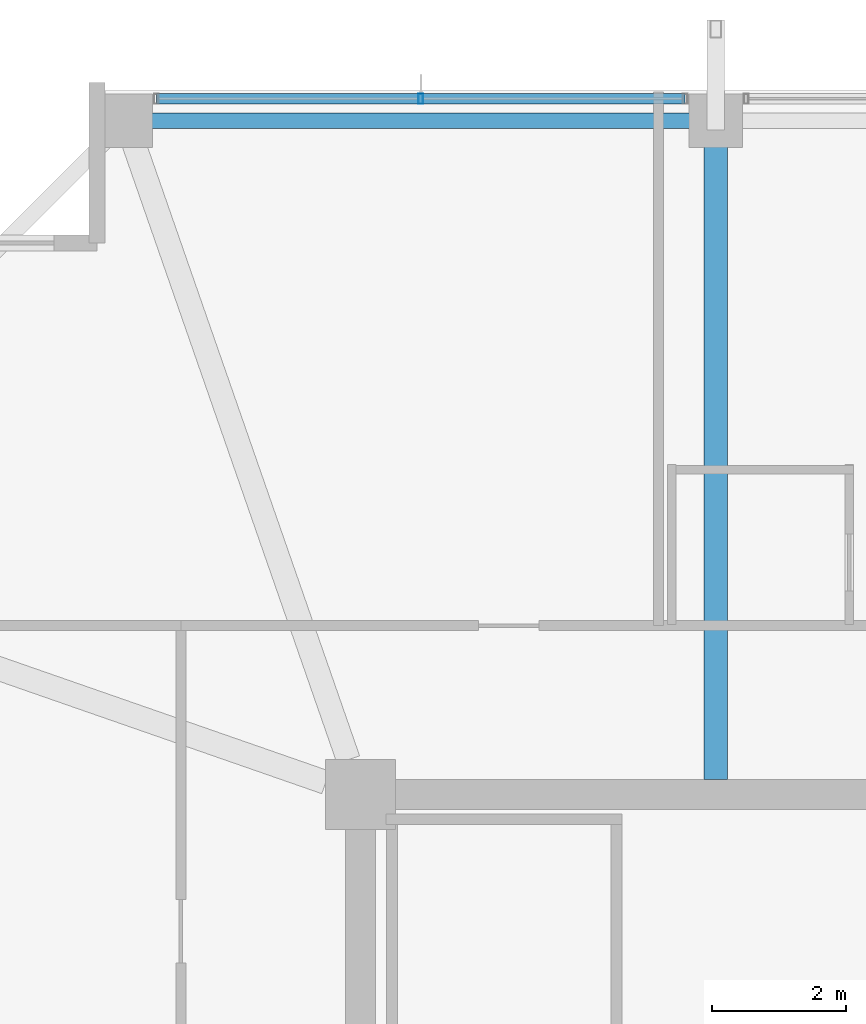
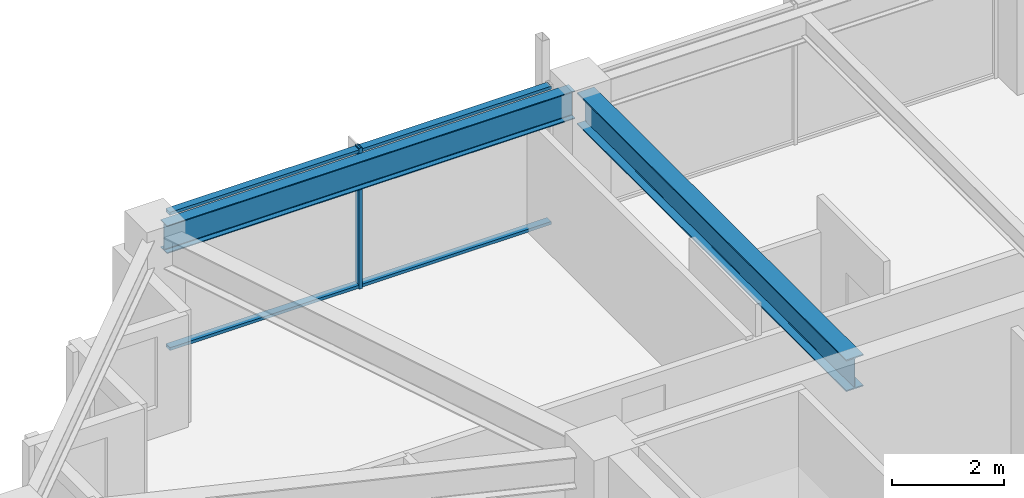
# One storey, part 16 of 33: 3 members, 2 beams, 1 element without a shape of its own.
"""IFC4 building model written with IfcOpenShell, lengths in metres."""

import ifcopenshell
import ifcopenshell.guid

model = None  # the IFC model being written
_history = None  # IfcOwnerHistory: only IFC2X3 demands one
_inside = {}  # id of a spatial element -> (the spatial element, [elements in it])
_under = {}  # id of a project, library or spatial element -> (it, [spatial elements below it])
_declared = {}  # id of a project -> (the project, [libraries it declares])
_typed = {}  # id of a type object -> (the type object, [elements of that type])
_made_of = {}  # id of a material, layer set ... -> (it, [elements and type objects made of it])


def new_model(schema):
    """Start an empty IFC model of exactly this schema.

    Asked for "IFC4X3", IfcOpenShell would pick the latest addendum, in which some entities
    have other attributes; the version numbers below select the first issue.
    IFC2X3 requires an IfcOwnerHistory on every rooted entity: one is made here for all.
    """
    global model, _history
    if schema == "IFC4X3":
        model = ifcopenshell.file(schema_version=(4, 3, 0, 0))
    else:
        model = ifcopenshell.file(schema=schema)
    _inside.clear()
    _under.clear()
    _declared.clear()
    _typed.clear()
    _made_of.clear()
    _history = None
    if model.schema == "IFC2X3":
        org = make("IfcOrganization", Name="unknown")
        user = make(
            "IfcPersonAndOrganization",
            ThePerson=make("IfcPerson", FamilyName="unknown"),
            TheOrganization=org,
        )
        app = make(
            "IfcApplication",
            ApplicationDeveloper=org,
            Version="unknown",
            ApplicationFullName="unknown",
            ApplicationIdentifier="unknown",
        )
        _history = make(
            "IfcOwnerHistory",
            OwningUser=user,
            OwningApplication=app,
            ChangeAction="ADDED",
            CreationDate=0,
        )
    return model


def make(cls, **values):
    """One entity of the class cls with the attributes given. An attribute that is None is left unset."""
    return model.create_entity(
        cls, **{name: value for name, value in values.items() if value is not None}
    )


def rooted(cls, **values):
    """An entity with a GlobalId (a new one), such as an element, a storey or a relation."""
    return make(cls, GlobalId=ifcopenshell.guid.new(), OwnerHistory=_history, **values)


def si_unit(unit_type, name, prefix=None):
    """IfcSIUnit, for example si_unit("LENGTHUNIT", "METRE", prefix="MILLI")."""
    return make("IfcSIUnit", UnitType=unit_type, Prefix=prefix, Name=name)


def assignment(units):
    """IfcUnitAssignment: the units of a project."""
    return None if units is None else make("IfcUnitAssignment", Units=units)


def point(xyz):
    """IfcCartesianPoint."""
    return None if xyz is None else make("IfcCartesianPoint", Coordinates=xyz)


def direction(xyz):
    """IfcDirection."""
    return None if xyz is None else make("IfcDirection", DirectionRatios=xyz)


def frame(location, z_axis=None, x_axis=None):
    """IfcAxis2Placement3D, a coordinate frame: its origin and axes. An axis left out is left unset."""
    return make(
        "IfcAxis2Placement3D",
        Location=point(location),
        Axis=direction(z_axis),
        RefDirection=direction(x_axis),
    )


def frame_2d(location, x_axis=None):
    """IfcAxis2Placement2D, a coordinate frame in the plane: its origin and x axis."""
    return make(
        "IfcAxis2Placement2D", Location=point(location), RefDirection=direction(x_axis)
    )


def origin():
    """The frame at (0, 0, 0) with its axes left unset."""
    return frame((0.0, 0.0, 0.0))


def origin_2d():
    """The frame at (0, 0) in the plane with its x axis left unset."""
    return frame_2d((0.0, 0.0))


def place(relative_to, where):
    """IfcLocalPlacement: puts the frame where relative to a parent placement (None: the world)."""
    return make(
        "IfcLocalPlacement", PlacementRelTo=relative_to, RelativePlacement=where
    )


def context(
    kind, dimensions, precision=None, world=None, true_north=None, identifier=None
):
    """IfcGeometricRepresentationContext, for example the 3D "Model" context."""
    return make(
        "IfcGeometricRepresentationContext",
        ContextIdentifier=identifier,
        ContextType=kind,
        CoordinateSpaceDimension=dimensions,
        Precision=precision,
        WorldCoordinateSystem=world,
        TrueNorth=true_north,
    )


def subcontext(parent, identifier, kind, view, scale=None):
    """IfcGeometricRepresentationSubContext, for example "Body" below "Model"."""
    return make(
        "IfcGeometricRepresentationSubContext",
        ContextIdentifier=identifier,
        ContextType=kind,
        ParentContext=parent,
        TargetScale=scale,
        TargetView=view,
    )


def project(units=None, contexts=None):
    """IfcProject with its units and contexts."""
    return rooted(
        "IfcProject",
        Name="project",
        RepresentationContexts=contexts,
        UnitsInContext=assignment(units),
    )


def spatial(cls, under=None, at=None, **own):
    """A site, building, storey or space (cls), placed at a placement, below another one or the project."""
    s = rooted(cls, ObjectPlacement=at, **own)
    if under is not None:
        _under.setdefault(under.id(), (under, []))[1].append(s)
    return s


def profile(cls, at=None, kind="AREA", **sizes):
    """A parametric profile (cls). Its sizes go by their IFC names, for example OverallWidth=200.0."""
    return make(cls, ProfileType=kind, Position=at, **sizes)


def hollow_rectangle(**sizes):
    """IfcRectangleHollowProfileDef."""
    return profile("IfcRectangleHollowProfileDef", **sizes)


def i_section(**sizes):
    """IfcIShapeProfileDef."""
    return profile("IfcIShapeProfileDef", **sizes)


def extrude(swept, where, along, depth):
    """IfcExtrudedAreaSolid: the profile swept, set in the frame where, extruded along a direction by depth."""
    return make(
        "IfcExtrudedAreaSolid",
        SweptArea=swept,
        Position=where,
        ExtrudedDirection=direction(along),
        Depth=depth,
    )


def shape(context_of_items, identifier, shape_type, items):
    """IfcShapeRepresentation: the items that make up one representation, for example the "Body"."""
    return make(
        "IfcShapeRepresentation",
        ContextOfItems=context_of_items,
        RepresentationIdentifier=identifier,
        RepresentationType=shape_type,
        Items=items,
    )


def material(Name=None, Category=None):
    """IfcMaterial."""
    return make("IfcMaterial", Name=Name, Category=Category)


def material_profile(
    of_material, cross_section, Name=None, Category=None, Priority=None
):
    """IfcMaterialProfile: a cross section and its material."""
    return make(
        "IfcMaterialProfile",
        Name=Name,
        Material=of_material,
        Profile=cross_section,
        Priority=Priority,
        Category=Category,
    )


def profile_set(profiles, Name=None, composite=None):
    """IfcMaterialProfileSet."""
    return make(
        "IfcMaterialProfileSet",
        Name=Name,
        MaterialProfiles=profiles,
        CompositeProfile=composite,
    )


def made_of(thing, what):
    """Note that an element or type object is made of a material, layer set ...; save() writes the relation."""
    if what is not None:
        _made_of.setdefault(what.id(), (what, []))[1].append(thing)
    return thing


def type_object(cls, material=None, **own):
    """A type object (cls), such as IfcWallType, which elements share."""
    return made_of(rooted(cls, **own), material)


def element(
    cls,
    number,
    at=None,
    inside=None,
    cuts=None,
    type_object=None,
    material=None,
    context=None,
    identifier="Body",
    shape_type=None,
    held_by="IfcProductDefinitionShape",
    body=None,
    shapes=None,
    **own,
):
    """One element of the class cls, such as IfcWall. Its Tag is "e" and its number.

    at: its placement. inside: the storey or other place that contains it. cuts: it is an
    opening in that element (IfcRelVoidsElement). A single representation is given by context,
    identifier, shape_type and body (its items); several are given by shapes. held_by: the class
    of the entity that holds the representations. save() writes the other relations.
    """
    e = rooted(cls, Tag="e%d" % number, ObjectPlacement=at, **own)
    if body is not None:
        shapes = [shape(context, identifier, shape_type, body)]
    if shapes is not None:
        e.Representation = make(held_by, Representations=shapes)
    if inside is not None:
        _inside.setdefault(inside.id(), (inside, []))[1].append(e)
    if cuts is not None:
        rooted(
            "IfcRelVoidsElement", RelatingBuildingElement=cuts, RelatedOpeningElement=e
        )
    if type_object is not None:
        _typed.setdefault(type_object.id(), (type_object, []))[1].append(e)
    return made_of(e, material)


def aggregate(whole, parts):
    """IfcRelAggregates: a whole, such as a stair, and the parts it consists of."""
    return rooted("IfcRelAggregates", RelatingObject=whole, RelatedObjects=parts)


def save(model, path):
    """Write the relations noted so far, then the file.

    IfcRelAggregates (storeys below a building ...), IfcRelContainedInSpatialStructure (elements
    in a storey), IfcRelDefinesByType, IfcRelAssociatesMaterial and IfcRelDeclares: one each for
    every whole, place, type object, material and project.
    """
    for whole, parts in _under.values():
        aggregate(whole, parts)
    for where, things in _inside.values():
        rooted(
            "IfcRelContainedInSpatialStructure",
            RelatedElements=things,
            RelatingStructure=where,
        )
    for kind, things in _typed.values():
        rooted("IfcRelDefinesByType", RelatedObjects=things, RelatingType=kind)
    for what, things in _made_of.values():
        rooted("IfcRelAssociatesMaterial", RelatedObjects=things, RelatingMaterial=what)
    for by, libraries in _declared.values():
        rooted("IfcRelDeclares", RelatingContext=by, RelatedDefinitions=libraries)
    model.write(path)


model = new_model("IFC4")

# Units and contexts
model_context = context("Model", 3, precision=1e-05, world=origin(), true_north=direction((0.0, 1.0)))
body_context = subcontext(model_context, "Body", "Model", "MODEL_VIEW")
ifc_project = project(units=[si_unit("LENGTHUNIT", "METRE"), si_unit("AREAUNIT", "SQUARE_METRE"), si_unit("VOLUMEUNIT", "CUBIC_METRE"), si_unit("PLANEANGLEUNIT", "RADIAN"), si_unit("MASSUNIT", "GRAM", prefix="KILO")], contexts=[model_context])

# Site, building, storey
site_placement = place(None, origin())
site = spatial("IfcSite", under=ifc_project, at=site_placement, CompositionType="ELEMENT")
building_placement = place(site_placement, origin())
building = spatial("IfcBuilding", under=site, at=building_placement, Name="Kolvaren Belvedere", CompositionType="ELEMENT")
storey_placement = place(building_placement, frame((0.0, 0.0, 209.699951171875)))
storey = spatial("IfcBuildingStorey", under=building, at=storey_placement, Name="L61", CompositionType="ELEMENT", Elevation=209.699951171875)

# Beams
ifc_material_1 = material(Name="Structural steel ASTM A992 Grade 50", Category="steel")
ifc_material_profile_1 = material_profile(ifc_material_1, i_section(OverallWidth=0.35498046875, OverallDepth=0.696044921875, WebThickness=0.015380859375, FlangeThickness=0.02490234375, FilletRadius=0.02197265625, at=origin_2d()), Name="W27X146")
ifc_profile_set_1 = profile_set([ifc_material_profile_1], Name="Structural steel ASTM A992 Grade 50")
beam_type_1 = type_object("IfcBeamType", Name="BM-GIRD-W27X146", PredefinedType="BEAM", material=ifc_profile_set_1)
beam_1_placement = place(storey_placement, frame((-4.60009765625, 10.125, 2.73193359375), z_axis=(0.0, 1.0, 0.0), x_axis=(-1.0, 0.0, 0.0)))
element("IfcBeam", 1, at=beam_1_placement, inside=storey, type_object=beam_type_1, Name="L61 North Radial Girder M", PredefinedType="BEAM", context=body_context, shape_type="SweptSolid", body=[
    extrude(i_section(OverallWidth=0.35498046875, OverallDepth=0.696044921875, WebThickness=0.015380859375, FlangeThickness=0.02490234375, FilletRadius=0.02197265625, at=origin_2d()), origin(), (0.0, 0.0, 1.0), 9.64501953125),
])
ifc_material_2 = material(Name="Structural steel ASTM A992 Grade 50", Category="steel")
ifc_material_profile_2 = material_profile(ifc_material_2, i_section(OverallWidth=0.22900390625, OverallDepth=0.612060546875, WebThickness=0.011962890625, FlangeThickness=0.01953125, FilletRadius=0.01806640625, at=origin_2d()), Name="W24X84")
ifc_profile_set_2 = profile_set([ifc_material_profile_2], Name="Structural steel ASTM A992 Grade 50")
beam_type_2 = type_object("IfcBeamType", Name="BM-SPAN-W24X84", PredefinedType="SPANDREL", material=ifc_profile_set_2)
beam_2_placement = place(storey_placement, frame((-4.780029296875, 19.949951171875, 2.774169921875), z_axis=(-1.0, 0.0, 0.0), x_axis=(0.0, -1.0, 0.0)))
element("IfcBeam", 2, at=beam_2_placement, inside=storey, type_object=beam_type_2, Name="L61 Perimeter Spandrel N2-N1", PredefinedType="SPANDREL", context=body_context, shape_type="SweptSolid", body=[
    extrude(i_section(OverallWidth=0.22900390625, OverallDepth=0.612060546875, WebThickness=0.011962890625, FlangeThickness=0.01953125, FilletRadius=0.01806640625, at=origin_2d()), origin(), (0.0, 0.0, 1.0), 8.43994140625),
])

# Curtain wall, members
ifc_material_3 = material(Name="Anodised pale-metal aluminium AA 6063-T6", Category="aluminium")
curtain_wall_type = type_object("IfcCurtainWallType", Name="CW-Z5-HIGH", PredefinedType="NOTDEFINED", material=ifc_material_3)
curtain_wall_placement = place(storey_placement, origin())
curtain_wall = element("IfcCurtainWall", 3, at=curtain_wall_placement, inside=storey, type_object=curtain_wall_type, Name="L61 Unitised Curtain Wall FCW-L61-N-B1", PredefinedType="NOTDEFINED")
ifc_material_4 = material(Name="Anodised pale-metal aluminium AA 6063-T6", Category="aluminium")
ifc_material_profile_3 = material_profile(ifc_material_4, hollow_rectangle(XDim=0.070068359375, YDim=0.14990234375, WallThickness=0.004150390625, at=origin_2d()), Name="ALU-MUL-150X70")
ifc_profile_set_3 = profile_set([ifc_material_profile_3], Name="Anodised pale-metal aluminium AA 6063-T6")
member_type_1 = type_object("IfcMemberType", Name="CW-MUL-150", PredefinedType="MULLION", material=ifc_profile_set_3)
member_1_placement = place(storey_placement, frame((-9.0, 20.280029296875, 0.0), z_axis=(0.0, 0.0, 1.0), x_axis=(1.0, 0.0, 0.0)))
member_1 = element("IfcMember", 4, at=member_1_placement, type_object=member_type_1, Name="FCW-L61-N-B1 Unitised Mullion 2", PredefinedType="MULLION", context=body_context, shape_type="SweptSolid", body=[
    extrude(hollow_rectangle(XDim=0.070068359375, YDim=0.14990234375, WallThickness=0.004150390625, at=origin_2d()), origin(), (0.0, 0.0, 1.0), 3.080078125),
])
ifc_material_5 = material(Name="Anodised pale-metal aluminium AA 6063-T6", Category="aluminium")
ifc_material_profile_4 = material_profile(ifc_material_5, hollow_rectangle(XDim=0.06494140625, YDim=0.14990234375, WallThickness=0.00390625, at=origin_2d()), Name="ALU-TRN-150X65")
ifc_profile_set_4 = profile_set([ifc_material_profile_4], Name="Anodised pale-metal aluminium AA 6063-T6")
member_type_2 = type_object("IfcMemberType", Name="CW-TRN-150", PredefinedType="USERDEFINED", material=ifc_profile_set_4)
member_2_placement = place(storey_placement, frame((-12.945068359375, 20.280029296875, 0.06005859375), z_axis=(1.0, 0.0, 0.0), x_axis=(0.0, 0.0, 1.0)))
member_2 = element("IfcMember", 5, at=member_2_placement, type_object=member_type_2, Name="FCW-L61-N-B1 Sill Transom", ObjectType="TRANSOM", PredefinedType="USERDEFINED", context=body_context, shape_type="SweptSolid", body=[
    extrude(hollow_rectangle(XDim=0.06494140625, YDim=0.14990234375, WallThickness=0.00390625, at=origin_2d()), origin(), (0.0, 0.0, 1.0), 7.89013671875),
])
member_3_placement = place(storey_placement, frame((-12.945068359375, 20.280029296875, 3.02001953125), z_axis=(1.0, 0.0, 0.0), x_axis=(0.0, 0.0, 1.0)))
member_3 = element("IfcMember", 6, at=member_3_placement, type_object=member_type_2, Name="FCW-L61-N-B1 Head Transom", ObjectType="TRANSOM", PredefinedType="USERDEFINED", context=body_context, shape_type="SweptSolid", body=[
    extrude(hollow_rectangle(XDim=0.06494140625, YDim=0.14990234375, WallThickness=0.00390625, at=origin_2d()), origin(), (0.0, 0.0, 1.0), 7.89013671875),
])
aggregate(curtain_wall, [member_1, member_2, member_3])

save(model, "model.ifc")
